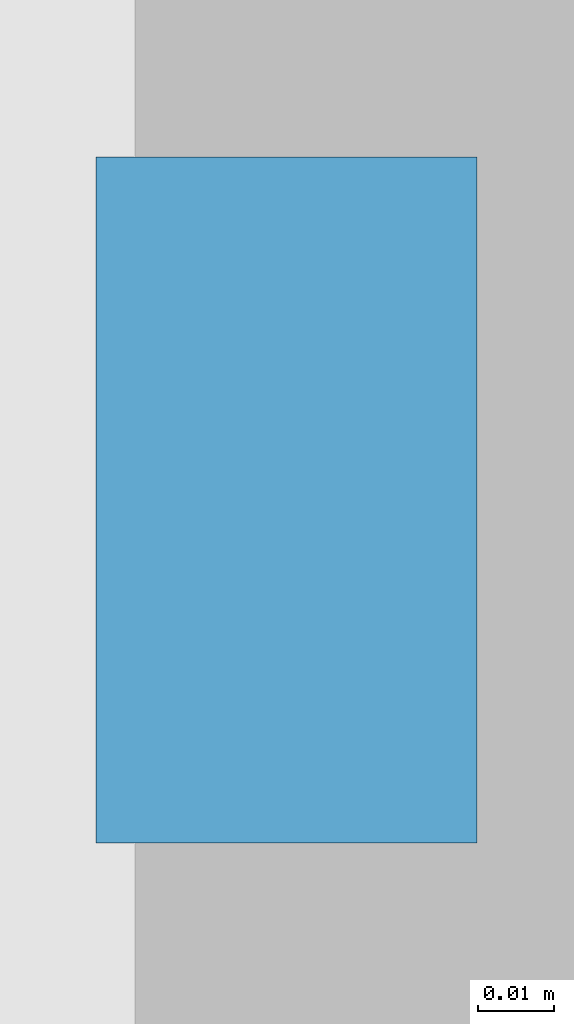
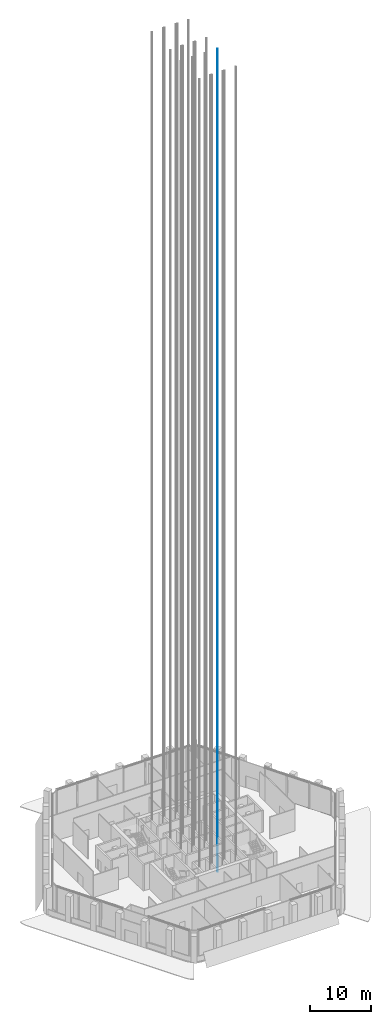
# One storey, part 26 of 42: 1 discrete accessory.
"""IFC4 building model written with IfcOpenShell, lengths in metres."""

from ifc_helpers import new_model, si_unit, direction, frame, origin, origin_2d, place, context, subcontext, project, spatial, rectangle, extrude, element, save


model = new_model("IFC4")

# Units and contexts
model_context = context("Model", 3, precision=1e-05, world=origin(), true_north=direction((0.0, 1.0)))
body_context = subcontext(model_context, "Body", "Model", "MODEL_VIEW")
ifc_project = project(units=[si_unit("LENGTHUNIT", "METRE"), si_unit("AREAUNIT", "SQUARE_METRE"), si_unit("VOLUMEUNIT", "CUBIC_METRE"), si_unit("PLANEANGLEUNIT", "RADIAN"), si_unit("MASSUNIT", "GRAM", prefix="KILO")], contexts=[model_context])

# Site, building, storey
site_placement = place(None, origin())
site = spatial("IfcSite", under=ifc_project, at=site_placement, CompositionType="ELEMENT")
building_placement = place(site_placement, origin())
building = spatial("IfcBuilding", under=site, at=building_placement, Name="Kolab Exchange Tower", CompositionType="ELEMENT")
storey_placement = place(building_placement, frame((0.0, 0.0, 133.39990234375)))
storey = spatial("IfcBuildingStorey", under=building, at=storey_placement, Name="L26", CompositionType="ELEMENT", Elevation=133.39990234375)

# Discrete accessory
discrete_accessory_placement = place(storey_placement, frame((3.469970703125, -1.800048828125, -1.599853515625), z_axis=(0.0, 0.0, 1.0), x_axis=(1.0, 0.0, 0.0)))
element("IfcDiscreteAccessory", 1, at=discrete_accessory_placement, inside=storey, Name="Guide rail HR9-2", ObjectType="GUIDE RAIL", PredefinedType="USERDEFINED", context=body_context, shape_type="SweptSolid", body=[
    extrude(rectangle(XDim=0.050048828125, YDim=0.090087890625, at=origin_2d()), origin(), (0.0, 0.0, 1.0), 165.60009765625),
])

save(model, "model.ifc")
